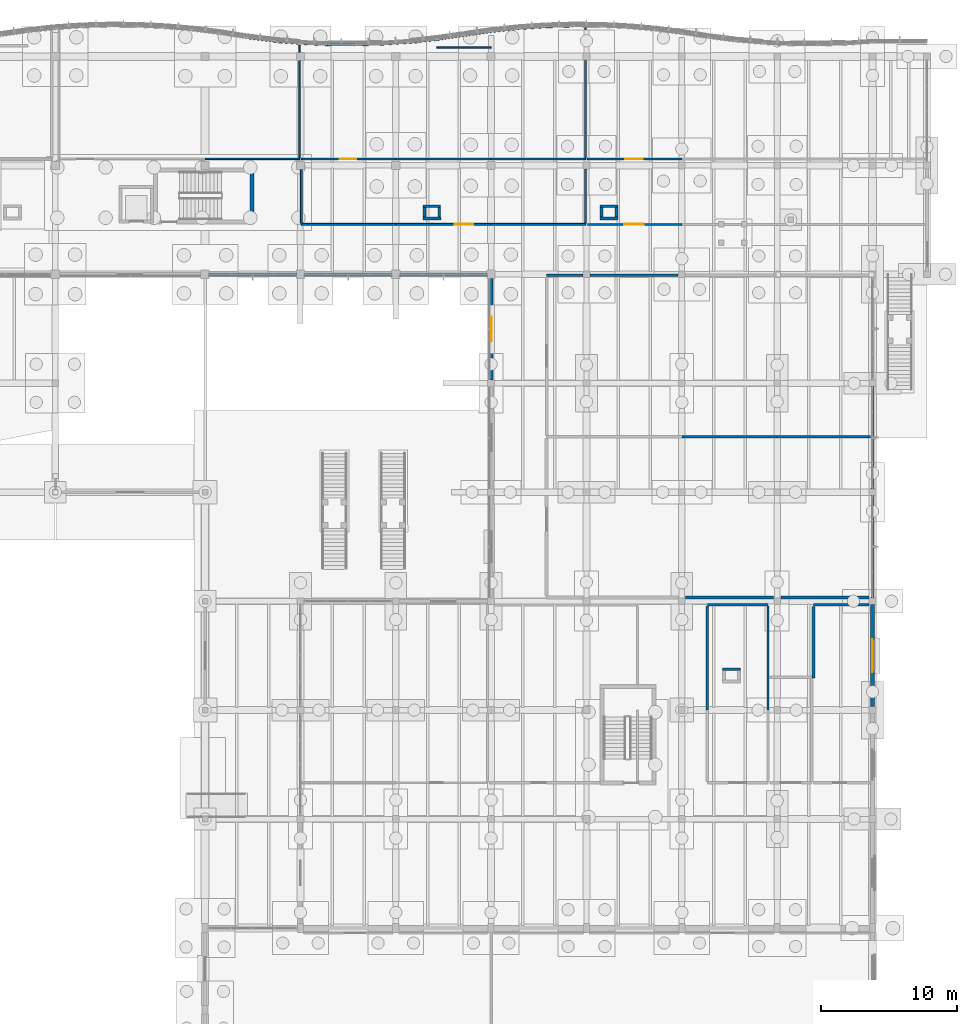
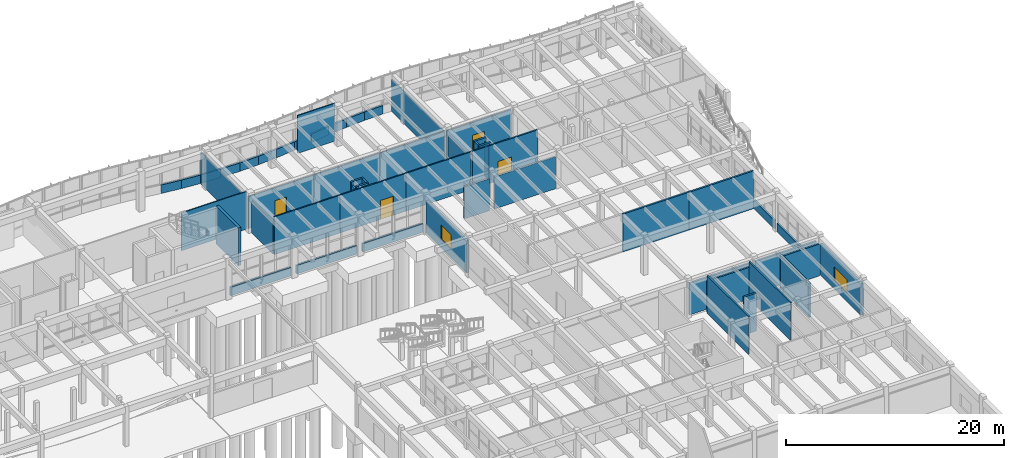
# One storey, part 70 of 99: 54 walls, 4 doors, 2 windows, 6 openings.
"""IFC4 building model written with IfcOpenShell, lengths in metres."""

from ifc_helpers import new_model, si_unit, direction, frame, frame_2d, origin, place, context, subcontext, project, spatial, rectangle, extrude, material, layer, layer_set, type_object, element, fill, save


model = new_model("IFC4")

# Units and contexts
model_context = context("Model", 3, precision=1e-05, world=origin(), true_north=direction((0.0, 1.0)))
body_context = subcontext(model_context, "Body", "Model", "MODEL_VIEW")
ifc_project = project(units=[si_unit("LENGTHUNIT", "METRE"), si_unit("AREAUNIT", "SQUARE_METRE"), si_unit("VOLUMEUNIT", "CUBIC_METRE"), si_unit("PLANEANGLEUNIT", "RADIAN"), si_unit("MASSUNIT", "GRAM", prefix="KILO")], contexts=[model_context])

# Site, building, storey
site_placement = place(None, origin())
site = spatial("IfcSite", under=ifc_project, at=site_placement, CompositionType="ELEMENT")
building_placement = place(site_placement, origin())
building = spatial("IfcBuilding", under=site, at=building_placement, Name="Tonlespit Floodbar School", CompositionType="ELEMENT")
storey_placement = place(building_placement, origin())
storey = spatial("IfcBuildingStorey", under=building, at=storey_placement, Name="L00", CompositionType="ELEMENT", Elevation=0.0)

# Wall
ifc_material_1 = material(Name="Concrete C40/50", Category="concrete")
ifc_layer_1 = layer(ifc_material_1, 0.300048828125)
ifc_layer_set_1 = layer_set([ifc_layer_1], Name="Concrete C40/50")
wall_type_1 = type_object("IfcWallType", Name="CoreWall_RC_300", PredefinedType="SHEAR", material=ifc_layer_set_1)
wall_1_placement = place(storey_placement, frame((130.449951171875, 111.800048828125, 0.0), z_axis=(0.0, 0.0, 1.0), x_axis=(0.0, -1.0, 0.0)))
element("IfcWall", 1, at=wall_1_placement, inside=storey, type_object=wall_type_1, Name="L00 core C4 shear wall FAR", PredefinedType="SHEAR", context=body_context, shape_type="SweptSolid", body=[
    extrude(rectangle(XDim=4.10009765625, YDim=0.300048828125, at=frame_2d((2.050048828125, 0.0))), origin(), (0.0, 0.0, 1.0), 4.239990234375),
])

# Wall, opening, window
ifc_material_2 = material(Name="Precast concrete C40/50", Category="concrete")
ifc_layer_2 = layer(ifc_material_2, 0.239990234375)
ifc_layer_set_2 = layer_set([ifc_layer_2], Name="Precast concrete C40/50")
wall_type_2 = type_object("IfcWallType", Name="ExtWall_Rainscreen_240", PredefinedType="SOLIDWALL", material=ifc_layer_set_2)
wall_2_placement = place(storey_placement, frame((148.0, 96.25, 0.0), z_axis=(0.0, 0.0, 1.0), x_axis=(0.0, 1.0, 0.0)))
wall_2 = element("IfcWall", 2, at=wall_2_placement, inside=storey, type_object=wall_type_2, Name="L00 external wall 0548", PredefinedType="SOLIDWALL", context=body_context, shape_type="SweptSolid", body=[
    extrude(rectangle(XDim=7.449951171875, YDim=0.239990234375, at=frame_2d((3.72509765625, 0.0))), origin(), (0.0, 0.0, 1.0), 3.590087890625),
])
opening_1_placement = place(wall_2_placement, frame((2.824951171875, 0.0, 0.949951171875)))
opening_1 = element("IfcOpeningElement", 3, at=opening_1_placement, cuts=wall_2, Name="Opening W-L00-076", PredefinedType="OPENING", context=body_context, shape_type="SweptSolid", body=[
    extrude(rectangle(XDim=1.800048828125, YDim=1.64990234375, at=frame_2d((0.89990234375, 0.824951171875))), frame((0.0, 0.1298828125, 0.0), z_axis=(0.0, -1.0, 0.0), x_axis=(1.0, 0.0, 0.0)), (0.0, 0.0, 1.0), 0.260009765625),
])
ifc_material_3 = material(Name="Tempered Double Glazing", Category="glass")
window_type_1 = type_object("IfcWindowType", Name="Win_Mod_1800x1650", PartitioningType="DOUBLE_PANEL_VERTICAL", PredefinedType="WINDOW", material=ifc_material_3)
window_1_placement = place(opening_1_placement, origin())
window_1 = element("IfcWindow", 4, at=window_1_placement, inside=storey, type_object=window_type_1, Name="L00 window W-L00-076", OverallHeight=1.64990234375, OverallWidth=1.800048828125, PartitioningType="DOUBLE_PANEL_VERTICAL", PredefinedType="WINDOW", context=body_context, shape_type="SweptSolid", body=[
    extrude(rectangle(XDim=1.800048828125, YDim=1.64990234375, at=frame_2d((0.89990234375, 0.824951171875))), frame((0.0, 0.030029296875, 0.0), z_axis=(0.0, -1.0, 0.0), x_axis=(1.0, 0.0, 0.0)), (0.0, 0.0, 1.0), 0.06005859375),
])
fill(opening_1, window_1)

ifc_layer_3 = layer(ifc_material_2, 0.27490234375)
ifc_layer_set_3 = layer_set([ifc_layer_3], Name="Precast concrete C40/50")
wall_type_3 = type_object("IfcWallType", Name="ExtWall_Rainscreen_275", PredefinedType="SOLIDWALL", material=ifc_layer_set_3)
wall_3_placement = place(storey_placement, frame((176.0, 79.75, 0.0), z_axis=(0.0, 0.0, 1.0), x_axis=(0.0, -1.0, 0.0)))
wall_3 = element("IfcWall", 5, at=wall_3_placement, inside=storey, type_object=wall_type_3, Name="L00 external wall 0499", PredefinedType="SOLIDWALL", context=body_context, shape_type="SweptSolid", body=[
    extrude(rectangle(XDim=7.5, YDim=0.27490234375, at=frame_2d((3.75, 0.0))), origin(), (0.0, 0.0, 1.0), 3.514892578125),
])
opening_2_placement = place(wall_3_placement, frame((2.550048828125, 0.0, 0.949951171875)))
opening_2 = element("IfcOpeningElement", 6, at=opening_2_placement, cuts=wall_3, Name="Opening W-L00-072", PredefinedType="OPENING", context=body_context, shape_type="SweptSolid", body=[
    extrude(rectangle(XDim=2.39990234375, YDim=1.5, at=frame_2d((1.199951171875, 0.75))), frame((0.0, 0.1474609375, 0.0), z_axis=(0.0, -1.0, 0.0), x_axis=(1.0, 0.0, 0.0)), (0.0, 0.0, 1.0), 0.294921875),
])
window_type_2 = type_object("IfcWindowType", Name="Win_Mod_2400x1500", PartitioningType="DOUBLE_PANEL_VERTICAL", PredefinedType="WINDOW", material=ifc_material_3)
window_2_placement = place(opening_2_placement, origin())
window_2 = element("IfcWindow", 7, at=window_2_placement, inside=storey, type_object=window_type_2, Name="L00 window W-L00-072", OverallHeight=1.5, OverallWidth=2.39990234375, PartitioningType="DOUBLE_PANEL_VERTICAL", PredefinedType="WINDOW", context=body_context, shape_type="SweptSolid", body=[
    extrude(rectangle(XDim=2.39990234375, YDim=1.5, at=frame_2d((1.199951171875, 0.75))), frame((0.0, 0.030029296875, 0.0), z_axis=(0.0, -1.0, 0.0), x_axis=(1.0, 0.0, 0.0)), (0.0, 0.0, 1.0), 0.06005859375),
])
fill(opening_2, window_2)

# Walls
ifc_material_4 = material(Name="White Architectural Precast concrete C40/50", Category="concrete")
ifc_layer_4 = layer(ifc_material_4, 0.18505859375)
ifc_layer_set_4 = layer_set([ifc_layer_4], Name="White Architectural Precast concrete C40/50")
wall_type_4 = type_object("IfcWallType", Name="ExtWall_Spandrel_White_185", PredefinedType="SOLIDWALL", material=ifc_layer_set_4)
for number, where, z_axis, x_axis, name in (
    (8, (176.0, 95.75, 0.0), (0.0, 0.0, 1.0), (0.0, -1.0, 0.0), "L00 spandrel wall 0549"),
    (9, (176.0, 87.75, 0.0), (0.0, 0.0, 1.0), (0.0, -1.0, 0.0), "L00 spandrel wall 0551"),
):
    element("IfcWall", number, at=place(storey_placement, frame(where, z_axis=z_axis, x_axis=x_axis)), inside=storey, type_object=wall_type_4, Name=name, PredefinedType="SOLIDWALL", context=body_context, shape_type="SweptSolid", body=[
        extrude(rectangle(XDim=7.5, YDim=0.18505859375, at=frame_2d((3.75, 0.0))), origin(), (0.0, 0.0, 1.0), 0.949951171875),
    ])
ifc_layer_5 = layer(ifc_material_4, 0.199951171875)
ifc_layer_set_5 = layer_set([ifc_layer_5], Name="White Architectural Precast concrete C40/50")
wall_type_5 = type_object("IfcWallType", Name="ExtWall_Spandrel_White_200", PredefinedType="SOLIDWALL", material=ifc_layer_set_5)
wall_4_placement = place(storey_placement, frame((130.0, 121.394287109375, 0.0), z_axis=(0.0, 0.0, 1.0), x_axis=(0.992158168336, -0.124988675503, 0.0)))
element("IfcWall", 10, at=wall_4_placement, inside=storey, type_object=wall_type_5, Name="L00 spandrel wall 0517", PredefinedType="SOLIDWALL", context=body_context, shape_type="SweptSolid", body=[
    extrude(rectangle(XDim=2.015869140625, YDim=0.199951171875, at=frame_2d((1.0078125, 0.0))), origin(), (0.0, 0.0, 1.0), 0.949951171875),
])
wall_5_placement = place(storey_placement, frame((132.0, 121.142333984375, 0.0), z_axis=(0.0, 0.0, 1.0), x_axis=(0.996244237948, -0.086587633962, 0.0)))
element("IfcWall", 11, at=wall_5_placement, inside=storey, type_object=wall_type_5, Name="L00 spandrel wall 0518", PredefinedType="SOLIDWALL", context=body_context, shape_type="SweptSolid", body=[
    extrude(rectangle(XDim=2.007568359375, YDim=0.199951171875, at=frame_2d((1.00390625, 0.0))), origin(), (0.0, 0.0, 1.0), 0.949951171875),
])
wall_6_placement = place(storey_placement, frame((134.0, 120.968505859375, 0.0), z_axis=(0.0, 0.0, 1.0), x_axis=(0.99884540439, -0.048040172037, 0.0)))
element("IfcWall", 12, at=wall_6_placement, inside=storey, type_object=wall_type_5, Name="L00 spandrel wall 0519", PredefinedType="SOLIDWALL", context=body_context, shape_type="SweptSolid", body=[
    extrude(rectangle(XDim=2.002197265625, YDim=0.199951171875, at=frame_2d((1.0009765625, 0.0))), origin(), (0.0, 0.0, 1.0), 0.949951171875),
])
wall_7_placement = place(storey_placement, frame((136.0, 120.872314453125, 0.0), z_axis=(0.0, 0.0, 1.0), x_axis=(0.999953504169, -0.009643106302, 0.0)))
element("IfcWall", 13, at=wall_7_placement, inside=storey, type_object=wall_type_5, Name="L00 spandrel wall 0520", PredefinedType="SOLIDWALL", context=body_context, shape_type="SweptSolid", body=[
    extrude(rectangle(XDim=2.0, YDim=0.199951171875, at=frame_2d((1.0, 0.0))), origin(), (0.0, 0.0, 1.0), 0.949951171875),
])
wall_8_placement = place(storey_placement, frame((138.0, 120.85302734375, 0.0), z_axis=(0.0, 0.0, 1.0), x_axis=(0.999585290582, 0.028796646555, 0.0)))
element("IfcWall", 14, at=wall_8_placement, inside=storey, type_object=wall_type_5, Name="L00 spandrel wall 0521", PredefinedType="SOLIDWALL", context=body_context, shape_type="SweptSolid", body=[
    extrude(rectangle(XDim=2.000732421875, YDim=0.199951171875, at=frame_2d((1.00048828125, 0.0))), origin(), (0.0, 0.0, 1.0), 0.949951171875),
])
wall_9_placement = place(storey_placement, frame((140.0, 120.91064453125, 0.0), z_axis=(0.0, 0.0, 1.0), x_axis=(0.997729302978, 0.067351599676, 0.0)))
element("IfcWall", 15, at=wall_9_placement, inside=storey, type_object=wall_type_5, Name="L00 spandrel wall 0522", PredefinedType="SOLIDWALL", context=body_context, shape_type="SweptSolid", body=[
    extrude(rectangle(XDim=2.004638671875, YDim=0.199951171875, at=frame_2d((1.00244140625, 0.0))), origin(), (0.0, 0.0, 1.0), 0.949951171875),
])
wall_10_placement = place(storey_placement, frame((142.0, 121.045654296875, 0.0), z_axis=(0.0, 0.0, 1.0), x_axis=(0.994395160059, 0.105727317433, 0.0)))
element("IfcWall", 16, at=wall_10_placement, inside=storey, type_object=wall_type_5, Name="L00 spandrel wall 0523", PredefinedType="SOLIDWALL", context=body_context, shape_type="SweptSolid", body=[
    extrude(rectangle(XDim=2.01123046875, YDim=0.199951171875, at=frame_2d((1.005615234375, 0.0))), origin(), (0.0, 0.0, 1.0), 0.949951171875),
])
for number, where, z_axis, x_axis, name in (
    (17, (144.0, 121.25830078125, 0.0), (0.0, 0.0, 1.0), (0.989527230727, 0.144346318447, 0.0), "L00 spandrel wall 0524"),
    (18, (146.0, 121.550048828125, 0.0), (0.0, 0.0, 1.0), (0.989544477223, 0.144228040259, 0.0), "L00 spandrel wall 0525"),
):
    element("IfcWall", number, at=place(storey_placement, frame(where, z_axis=z_axis, x_axis=x_axis)), inside=storey, type_object=wall_type_5, Name=name, PredefinedType="SOLIDWALL", context=body_context, shape_type="SweptSolid", body=[
        extrude(rectangle(XDim=2.021240234375, YDim=0.199951171875, at=frame_2d((1.0107421875, 0.0))), origin(), (0.0, 0.0, 1.0), 0.949951171875),
    ])
wall_11_placement = place(storey_placement, frame((148.0, 121.841552734375, 0.0), z_axis=(0.0, 0.0, 1.0), x_axis=(0.994395160059, 0.105727317433, 0.0)))
element("IfcWall", 19, at=wall_11_placement, inside=storey, type_object=wall_type_5, Name="L00 spandrel wall 0526", PredefinedType="SOLIDWALL", context=body_context, shape_type="SweptSolid", body=[
    extrude(rectangle(XDim=2.01123046875, YDim=0.199951171875, at=frame_2d((1.005615234375, 0.0))), origin(), (0.0, 0.0, 1.0), 0.949951171875),
])
wall_12_placement = place(storey_placement, frame((150.0, 122.05419921875, 0.0), z_axis=(0.0, 0.0, 1.0), x_axis=(0.997729302978, 0.067351599676, 0.0)))
element("IfcWall", 20, at=wall_12_placement, inside=storey, type_object=wall_type_5, Name="L00 spandrel wall 0527", PredefinedType="SOLIDWALL", context=body_context, shape_type="SweptSolid", body=[
    extrude(rectangle(XDim=2.004638671875, YDim=0.199951171875, at=frame_2d((1.00244140625, 0.0))), origin(), (0.0, 0.0, 1.0), 0.949951171875),
])
wall_13_placement = place(storey_placement, frame((152.0, 122.189208984375, 0.0), z_axis=(0.0, 0.0, 1.0), x_axis=(0.999581770858, 0.028918564416, 0.0)))
element("IfcWall", 21, at=wall_13_placement, inside=storey, type_object=wall_type_5, Name="L00 spandrel wall 0528", PredefinedType="SOLIDWALL", context=body_context, shape_type="SweptSolid", body=[
    extrude(rectangle(XDim=2.000732421875, YDim=0.199951171875, at=frame_2d((1.00048828125, 0.0))), origin(), (0.0, 0.0, 1.0), 0.949951171875),
])
for number, where, z_axis, x_axis, name in (
    (22, (147.699951171875, 104.0, 0.0), (0.0, 0.0, 1.0), (-1.0, 0.0, 0.0), "L00 spandrel wall 0543"),
    (23, (140.699951171875, 104.0, 0.0), (0.0, 0.0, 1.0), (-1.0, 0.0, 0.0), "L00 spandrel wall 0544"),
    (24, (133.699951171875, 104.0, 0.0), (0.0, 0.0, 1.0), (-1.0, 0.0, 0.0), "L00 spandrel wall 0545"),
):
    element("IfcWall", number, at=place(storey_placement, frame(where, z_axis=z_axis, x_axis=x_axis)), inside=storey, type_object=wall_type_5, Name=name, PredefinedType="SOLIDWALL", context=body_context, shape_type="SweptSolid", body=[
        extrude(rectangle(XDim=6.39990234375, YDim=0.199951171875, at=frame_2d((3.199951171875, 0.0))), origin(), (0.0, 0.0, 1.0), 0.949951171875),
    ])
ifc_layer_6 = layer(ifc_material_1, 0.199951171875)
ifc_layer_set_6 = layer_set([ifc_layer_6], Name="Concrete C40/50")
wall_type_6 = type_object("IfcWallType", Name="FireWall_Plant_200", PredefinedType="PARTITIONING", material=ifc_layer_set_6)
for number, where, z_axis, x_axis, name in (
    (25, (144.300048828125, 108.10009765625, 0.0), (0.0, 0.0, 1.0), (-1.0, 0.0, 0.0), "L00 service riser 05 wall S"),
    (26, (143.0, 109.0, 0.0), (0.0, 0.0, 1.0), (1.0, 0.0, 0.0), "L00 service riser 05 wall N"),
):
    element("IfcWall", number, at=place(storey_placement, frame(where, z_axis=z_axis, x_axis=x_axis)), inside=storey, type_object=wall_type_6, Name=name, PredefinedType="PARTITIONING", context=body_context, shape_type="SweptSolid", body=[
        extrude(rectangle(XDim=1.300048828125, YDim=0.199951171875, at=frame_2d((0.64990234375, 0.0))), origin(), (0.0, 0.0, 1.0), 4.239990234375),
    ])
wall_14_placement = place(storey_placement, frame((143.10009765625, 108.199951171875, 0.0), z_axis=(0.0, 0.0, 1.0), x_axis=(0.0, 1.0, 0.0)))
element("IfcWall", 27, at=wall_14_placement, inside=storey, type_object=wall_type_6, Name="L00 service riser 05 wall W", PredefinedType="PARTITIONING", context=body_context, shape_type="SweptSolid", body=[
    extrude(rectangle(XDim=0.699951171875, YDim=0.199951171875, at=frame_2d((0.35009765625, 0.0))), origin(), (0.0, 0.0, 1.0), 3.840087890625),
])
wall_15_placement = place(storey_placement, frame((144.199951171875, 108.89990234375, 0.0), z_axis=(0.0, 0.0, 1.0), x_axis=(0.0, -1.0, 0.0)))
element("IfcWall", 28, at=wall_15_placement, inside=storey, type_object=wall_type_6, Name="L00 service riser 05 wall E", PredefinedType="PARTITIONING", context=body_context, shape_type="SweptSolid", body=[
    extrude(rectangle(XDim=0.699951171875, YDim=0.199951171875, at=frame_2d((0.35009765625, 0.0))), origin(), (0.0, 0.0, 1.0), 4.239990234375),
])
for number, where, z_axis, x_axis, name in (
    (29, (157.300048828125, 108.10009765625, 0.0), (0.0, 0.0, 1.0), (-1.0, 0.0, 0.0), "L00 service riser 07 wall S"),
    (30, (156.0, 109.0, 0.0), (0.0, 0.0, 1.0), (1.0, 0.0, 0.0), "L00 service riser 07 wall N"),
):
    element("IfcWall", number, at=place(storey_placement, frame(where, z_axis=z_axis, x_axis=x_axis)), inside=storey, type_object=wall_type_6, Name=name, PredefinedType="PARTITIONING", context=body_context, shape_type="SweptSolid", body=[
        extrude(rectangle(XDim=1.300048828125, YDim=0.199951171875, at=frame_2d((0.64990234375, 0.0))), origin(), (0.0, 0.0, 1.0), 4.239990234375),
    ])
wall_16_placement = place(storey_placement, frame((156.10009765625, 108.199951171875, 0.0), z_axis=(0.0, 0.0, 1.0), x_axis=(0.0, 1.0, 0.0)))
element("IfcWall", 31, at=wall_16_placement, inside=storey, type_object=wall_type_6, Name="L00 service riser 07 wall W", PredefinedType="PARTITIONING", context=body_context, shape_type="SweptSolid", body=[
    extrude(rectangle(XDim=0.699951171875, YDim=0.199951171875, at=frame_2d((0.35009765625, 0.0))), origin(), (0.0, 0.0, 1.0), 4.239990234375),
])
wall_17_placement = place(storey_placement, frame((157.199951171875, 108.89990234375, 0.0), z_axis=(0.0, 0.0, 1.0), x_axis=(0.0, -1.0, 0.0)))
element("IfcWall", 32, at=wall_17_placement, inside=storey, type_object=wall_type_6, Name="L00 service riser 07 wall E", PredefinedType="PARTITIONING", context=body_context, shape_type="SweptSolid", body=[
    extrude(rectangle(XDim=0.699951171875, YDim=0.199951171875, at=frame_2d((0.35009765625, 0.0))), origin(), (0.0, 0.0, 1.0), 3.840087890625),
])
wall_18_placement = place(storey_placement, frame((165.0, 75.0, 0.0), z_axis=(0.0, 0.0, 1.0), x_axis=(1.0, 0.0, 0.0)))
element("IfcWall", 33, at=wall_18_placement, inside=storey, type_object=wall_type_6, Name="L00 service riser 08 wall N", PredefinedType="PARTITIONING", context=body_context, shape_type="SweptSolid", body=[
    extrude(rectangle(XDim=1.300048828125, YDim=0.199951171875, at=frame_2d((0.64990234375, 0.0))), origin(), (0.0, 0.0, 1.0), 4.239990234375),
])
ifc_material_5 = material(Name="Gypsum Plasterboard Partition")
ifc_layer_7 = layer(ifc_material_5, 0.110107421875)
ifc_layer_set_7 = layer_set([ifc_layer_7], Name="Gypsum Plasterboard Partition")
wall_type_7 = type_object("IfcWallType", Name="Partition_Gyp_110", PredefinedType="PARTITIONING", material=ifc_layer_set_7)
wall_19_placement = place(storey_placement, frame((127.0, 112.469970703125, 0.0), z_axis=(0.0, 0.0, 1.0), x_axis=(1.0, 0.0, 0.0)))
element("IfcWall", 34, at=wall_19_placement, inside=storey, type_object=wall_type_7, Name="L00 partition wall 0321", PredefinedType="PARTITIONING", context=body_context, shape_type="SweptSolid", body=[
    extrude(rectangle(XDim=6.929931640625, YDim=0.110107421875, at=frame_2d((3.46484375, 0.0))), origin(), (0.0, 0.0, 1.0), 4.239990234375),
])
wall_20_placement = place(storey_placement, frame((133.929931640625, 112.5400390625, 0.0), z_axis=(0.0, 0.0, 1.0), x_axis=(0.0, 1.0, 0.0)))
element("IfcWall", 35, at=wall_20_placement, inside=storey, type_object=wall_type_7, Name="L00 partition wall 0323", PredefinedType="PARTITIONING", context=body_context, shape_type="SweptSolid", body=[
    extrude(rectangle(XDim=8.289794921875, YDim=0.110107421875, at=frame_2d((4.14501953125, 0.0))), origin(), (0.0, 0.0, 1.0), 3.590087890625),
])

# Wall, opening, door
ifc_layer_8 = layer(ifc_material_5, 0.1201171875)
ifc_layer_set_8 = layer_set([ifc_layer_8], Name="Gypsum Plasterboard Partition")
wall_type_8 = type_object("IfcWallType", Name="Partition_Gyp_120", PredefinedType="PARTITIONING", material=ifc_layer_set_8)
wall_21_placement = place(storey_placement, frame((134.070068359375, 112.469970703125, 0.0), z_axis=(0.0, 0.0, 1.0), x_axis=(1.0, 0.0, 0.0)))
wall_21 = element("IfcWall", 36, at=wall_21_placement, inside=storey, type_object=wall_type_8, Name="L00 partition wall 0324", PredefinedType="PARTITIONING", context=body_context, shape_type="SweptSolid", body=[
    extrude(rectangle(XDim=6.929931640625, YDim=0.1201171875, at=frame_2d((3.46484375, 0.0))), origin(), (0.0, 0.0, 1.0), 3.590087890625),
])
opening_3_placement = place(wall_21_placement, frame((2.820068359375, 0.0, 0.0)))
opening_3 = element("IfcOpeningElement", 37, at=opening_3_placement, cuts=wall_21, Name="Opening D-L00-093", PredefinedType="OPENING", context=body_context, shape_type="SweptSolid", body=[
    extrude(rectangle(XDim=1.219970703125, YDim=2.14990234375, at=frame_2d((0.60986328125, 1.074951171875))), frame((0.0, 0.070068359375, 0.0), z_axis=(0.0, -1.0, 0.0), x_axis=(1.0, 0.0, 0.0)), (0.0, 0.0, 1.0), 0.14013671875),
])
ifc_material_6 = material(Name="Hardwood Timber", Category="wood")
door_type_1 = type_object("IfcDoorType", Name="IntDoor_1220x2150", OperationType="NOTDEFINED", PredefinedType="DOOR", material=ifc_material_6)
door_1_placement = place(opening_3_placement, origin())
door_1 = element("IfcDoor", 38, at=door_1_placement, inside=storey, type_object=door_type_1, Name="L00 interior door D-L00-093", OperationType="SINGLE_SWING_RIGHT", OverallHeight=2.14990234375, OverallWidth=1.219970703125, PredefinedType="DOOR", context=body_context, shape_type="SweptSolid", body=[
    extrude(rectangle(XDim=1.219970703125, YDim=2.14990234375, at=frame_2d((0.60986328125, 1.074951171875))), frame((0.0, 0.02490234375, 0.0), z_axis=(0.0, -1.0, 0.0), x_axis=(1.0, 0.0, 0.0)), (0.0, 0.0, 1.0), 0.050048828125),
])
fill(opening_3, door_1)

# Walls
wall_22_placement = place(storey_placement, frame((141.0, 112.469970703125, 0.0), z_axis=(0.0, 0.0, 1.0), x_axis=(1.0, 0.0, 0.0)))
element("IfcWall", 39, at=wall_22_placement, inside=storey, type_object=wall_type_8, Name="L00 partition wall 0325", PredefinedType="PARTITIONING", context=body_context, shape_type="SweptSolid", body=[
    extrude(rectangle(XDim=7.0, YDim=0.1201171875, at=frame_2d((3.5, 0.0))), origin(), (0.0, 0.0, 1.0), 3.590087890625),
])
wall_23_placement = place(storey_placement, frame((148.0, 112.469970703125, 0.0), z_axis=(0.0, 0.0, 1.0), x_axis=(1.0, 0.0, 0.0)))
element("IfcWall", 40, at=wall_23_placement, inside=storey, type_object=wall_type_8, Name="L00 partition wall 0326", PredefinedType="PARTITIONING", context=body_context, shape_type="SweptSolid", body=[
    extrude(rectangle(XDim=6.929931640625, YDim=0.1201171875, at=frame_2d((3.46484375, 0.0))), origin(), (0.0, 0.0, 1.0), 3.590087890625),
])
wall_24_placement = place(storey_placement, frame((144.02001953125, 120.64794921875, 0.0), z_axis=(0.0, 0.0, 1.0), x_axis=(1.0, 0.0, 0.0)))
element("IfcWall", 41, at=wall_24_placement, inside=storey, type_object=wall_type_8, Name="L00 partition wall 0327", PredefinedType="PARTITIONING", context=body_context, shape_type="SweptSolid", body=[
    extrude(rectangle(XDim=3.97998046875, YDim=0.1201171875, at=frame_2d((1.989990234375, 0.0))), origin(), (0.0, 0.0, 1.0), 4.239990234375),
])
wall_25_placement = place(storey_placement, frame((154.929931640625, 112.544921875, 0.0), z_axis=(0.0, 0.0, 1.0), x_axis=(0.0, 1.0, 0.0)))
element("IfcWall", 42, at=wall_25_placement, inside=storey, type_object=wall_type_8, Name="L00 partition wall 0328", PredefinedType="PARTITIONING", context=body_context, shape_type="SweptSolid", body=[
    extrude(rectangle(XDim=9.55126953125, YDim=0.1201171875, at=frame_2d((4.775634765625, 0.0))), origin(), (0.0, 0.0, 1.0), 3.590087890625),
])

# Wall, opening, door
ifc_layer_9 = layer(ifc_material_5, 0.1298828125)
ifc_layer_set_9 = layer_set([ifc_layer_9], Name="Gypsum Plasterboard Partition")
wall_type_9 = type_object("IfcWallType", Name="Partition_Gyp_130", PredefinedType="PARTITIONING", material=ifc_layer_set_9)
wall_26_placement = place(storey_placement, frame((155.070068359375, 112.469970703125, 0.0), z_axis=(0.0, 0.0, 1.0), x_axis=(1.0, 0.0, 0.0)))
wall_26 = element("IfcWall", 43, at=wall_26_placement, inside=storey, type_object=wall_type_9, Name="L00 partition wall 0329", PredefinedType="PARTITIONING", context=body_context, shape_type="SweptSolid", body=[
    extrude(rectangle(XDim=6.929931640625, YDim=0.1298828125, at=frame_2d((3.46484375, 0.0))), origin(), (0.0, 0.0, 1.0), 3.590087890625),
])
opening_4_placement = place(wall_26_placement, frame((2.7900390625, 0.0, 0.0)))
opening_4 = element("IfcOpeningElement", 44, at=opening_4_placement, cuts=wall_26, Name="Opening D-L00-094", PredefinedType="OPENING", context=body_context, shape_type="SweptSolid", body=[
    extrude(rectangle(XDim=1.280029296875, YDim=2.14990234375, at=frame_2d((0.64013671875, 1.074951171875))), frame((0.0, 0.074951171875, 0.0), z_axis=(0.0, -1.0, 0.0), x_axis=(1.0, 0.0, 0.0)), (0.0, 0.0, 1.0), 0.14990234375),
])
door_type_2 = type_object("IfcDoorType", Name="IntDoor_1280x2150", OperationType="NOTDEFINED", PredefinedType="DOOR", material=ifc_material_6)
door_2_placement = place(opening_4_placement, origin())
door_2 = element("IfcDoor", 45, at=door_2_placement, inside=storey, type_object=door_type_2, Name="L00 interior door D-L00-094", OperationType="SINGLE_SWING_LEFT", OverallHeight=2.14990234375, OverallWidth=1.280029296875, PredefinedType="DOOR", context=body_context, shape_type="SweptSolid", body=[
    extrude(rectangle(XDim=1.280029296875, YDim=2.14990234375, at=frame_2d((0.64013671875, 1.074951171875))), frame((0.0, 0.02490234375, 0.0), z_axis=(0.0, -1.0, 0.0), x_axis=(1.0, 0.0, 0.0)), (0.0, 0.0, 1.0), 0.050048828125),
])
fill(opening_4, door_2)

# Wall
ifc_layer_10 = layer(ifc_material_5, 0.139892578125)
ifc_layer_set_10 = layer_set([ifc_layer_10], Name="Gypsum Plasterboard Partition")
wall_type_10 = type_object("IfcWallType", Name="Partition_Gyp_140", PredefinedType="PARTITIONING", material=ifc_layer_set_10)
wall_27_placement = place(storey_placement, frame((134.070068359375, 107.669921875, 0.0), z_axis=(0.0, 0.0, 1.0), x_axis=(1.0, 0.0, 0.0)))
element("IfcWall", 46, at=wall_27_placement, inside=storey, type_object=wall_type_10, Name="L00 partition wall 0333", PredefinedType="PARTITIONING", context=body_context, shape_type="SweptSolid", body=[
    extrude(rectangle(XDim=6.929931640625, YDim=0.139892578125, at=frame_2d((3.46484375, 0.0))), origin(), (0.0, 0.0, 1.0), 4.239990234375),
])

# Wall, opening, door
wall_28_placement = place(storey_placement, frame((141.0, 107.669921875, 0.0), z_axis=(0.0, 0.0, 1.0), x_axis=(1.0, 0.0, 0.0)))
wall_28 = element("IfcWall", 47, at=wall_28_placement, inside=storey, type_object=wall_type_10, Name="L00 partition wall 0334", PredefinedType="PARTITIONING", context=body_context, shape_type="SweptSolid", body=[
    extrude(rectangle(XDim=7.0, YDim=0.139892578125, at=frame_2d((3.5, 0.0))), origin(), (0.0, 0.0, 1.0), 4.239990234375),
])
opening_5_placement = place(wall_28_placement, frame((4.320068359375, 0.0, 0.0)))
opening_5 = element("IfcOpeningElement", 48, at=opening_5_placement, cuts=wall_28, Name="Opening D-L00-095", PredefinedType="OPENING", context=body_context, shape_type="SweptSolid", body=[
    extrude(rectangle(XDim=1.360107421875, YDim=2.14990234375, at=frame_2d((0.68017578125, 1.074951171875))), frame((0.0, 0.079833984375, 0.0), z_axis=(0.0, -1.0, 0.0), x_axis=(1.0, 0.0, 0.0)), (0.0, 0.0, 1.0), 0.159912109375),
])
door_type_3 = type_object("IfcDoorType", Name="IntDoor_1360x2150", OperationType="NOTDEFINED", PredefinedType="DOOR", material=ifc_material_6)
door_3_placement = place(opening_5_placement, origin())
door_3 = element("IfcDoor", 49, at=door_3_placement, inside=storey, type_object=door_type_3, Name="L00 interior door D-L00-095", OperationType="SINGLE_SWING_RIGHT", OverallHeight=2.14990234375, OverallWidth=1.360107421875, PredefinedType="DOOR", context=body_context, shape_type="SweptSolid", body=[
    extrude(rectangle(XDim=1.360107421875, YDim=2.14990234375, at=frame_2d((0.68017578125, 1.074951171875))), frame((0.0, 0.02490234375, 0.0), z_axis=(0.0, -1.0, 0.0), x_axis=(1.0, 0.0, 0.0)), (0.0, 0.0, 1.0), 0.050048828125),
])
fill(opening_5, door_3)

# Walls
wall_29_placement = place(storey_placement, frame((148.0, 107.669921875, 0.0), z_axis=(0.0, 0.0, 1.0), x_axis=(1.0, 0.0, 0.0)))
element("IfcWall", 50, at=wall_29_placement, inside=storey, type_object=wall_type_10, Name="L00 partition wall 0335", PredefinedType="PARTITIONING", context=body_context, shape_type="SweptSolid", body=[
    extrude(rectangle(XDim=6.929931640625, YDim=0.139892578125, at=frame_2d((3.46484375, 0.0))), origin(), (0.0, 0.0, 1.0), 4.239990234375),
])
wall_30_placement = place(storey_placement, frame((134.070068359375, 107.7548828125, 0.0), z_axis=(0.0, 0.0, 1.0), x_axis=(0.0, 1.0, 0.0)))
element("IfcWall", 51, at=wall_30_placement, inside=storey, type_object=wall_type_10, Name="L00 partition wall 0336", PredefinedType="PARTITIONING", context=body_context, shape_type="SweptSolid", body=[
    extrude(rectangle(XDim=3.93017578125, YDim=0.139892578125, at=frame_2d((1.965087890625, 0.0))), origin(), (0.0, 0.0, 1.0), 3.590087890625),
])
wall_31_placement = place(storey_placement, frame((154.929931640625, 107.7548828125, 0.0), z_axis=(0.0, 0.0, 1.0), x_axis=(0.0, 1.0, 0.0)))
element("IfcWall", 52, at=wall_31_placement, inside=storey, type_object=wall_type_10, Name="L00 partition wall 0337", PredefinedType="PARTITIONING", context=body_context, shape_type="SweptSolid", body=[
    extrude(rectangle(XDim=3.980224609375, YDim=0.139892578125, at=frame_2d((1.990234375, 0.0))), origin(), (0.0, 0.0, 1.0), 3.590087890625),
])

# Wall, opening, door
ifc_layer_11 = layer(ifc_material_5, 0.14990234375)
ifc_layer_set_11 = layer_set([ifc_layer_11], Name="Gypsum Plasterboard Partition")
wall_type_11 = type_object("IfcWallType", Name="Partition_Gyp_150", PredefinedType="PARTITIONING", material=ifc_layer_set_11)
wall_32_placement = place(storey_placement, frame((155.070068359375, 107.669921875, 0.0), z_axis=(0.0, 0.0, 1.0), x_axis=(1.0, 0.0, 0.0)))
wall_32 = element("IfcWall", 53, at=wall_32_placement, inside=storey, type_object=wall_type_11, Name="L00 partition wall 0338", PredefinedType="PARTITIONING", context=body_context, shape_type="SweptSolid", body=[
    extrude(rectangle(XDim=6.929931640625, YDim=0.14990234375, at=frame_2d((3.46484375, 0.0))), origin(), (0.0, 0.0, 1.0), 4.239990234375),
])
opening_6_placement = place(wall_32_placement, frame((2.7099609375, 0.0, 0.0)))
opening_6 = element("IfcOpeningElement", 54, at=opening_6_placement, cuts=wall_32, Name="Opening D-L00-096", PredefinedType="OPENING", context=body_context, shape_type="SweptSolid", body=[
    extrude(rectangle(XDim=1.43994140625, YDim=2.14990234375, at=frame_2d((0.719970703125, 1.074951171875))), frame((0.0, 0.0849609375, 0.0), z_axis=(0.0, -1.0, 0.0), x_axis=(1.0, 0.0, 0.0)), (0.0, 0.0, 1.0), 0.169921875),
])
door_type_4 = type_object("IfcDoorType", Name="IntDoor_1440x2150", OperationType="NOTDEFINED", PredefinedType="DOOR", material=ifc_material_6)
door_4_placement = place(opening_6_placement, origin())
door_4 = element("IfcDoor", 55, at=door_4_placement, inside=storey, type_object=door_type_4, Name="L00 interior door D-L00-096", OperationType="SINGLE_SWING_LEFT", OverallHeight=2.14990234375, OverallWidth=1.43994140625, PredefinedType="DOOR", context=body_context, shape_type="SweptSolid", body=[
    extrude(rectangle(XDim=1.43994140625, YDim=2.14990234375, at=frame_2d((0.719970703125, 1.074951171875))), frame((0.0, 0.02490234375, 0.0), z_axis=(0.0, -1.0, 0.0), x_axis=(1.0, 0.0, 0.0)), (0.0, 0.0, 1.0), 0.050048828125),
])
fill(opening_6, door_4)

# Walls
ifc_layer_12 = layer(ifc_material_5, 0.169921875)
ifc_layer_set_12 = layer_set([ifc_layer_12], Name="Gypsum Plasterboard Partition")
wall_type_12 = type_object("IfcWallType", Name="Partition_Gyp_170", PredefinedType="PARTITIONING", material=ifc_layer_set_12)
wall_33_placement = place(storey_placement, frame((163.8701171875, 79.72998046875, 0.0), z_axis=(0.0, 0.0, 1.0), x_axis=(1.0, 0.0, 0.0)))
element("IfcWall", 56, at=wall_33_placement, inside=storey, type_object=wall_type_12, Name="L00 partition wall 0289", PredefinedType="PARTITIONING", context=body_context, shape_type="SweptSolid", body=[
    extrude(rectangle(XDim=4.4599609375, YDim=0.169921875, at=frame_2d((2.22998046875, 0.0))), origin(), (0.0, 0.0, 1.0), 3.56494140625),
])
for number, where, z_axis, x_axis, name in (
    (57, (163.8701171875, 72.0, 0.0), (0.0, 0.0, 1.0), (0.0, 1.0, 0.0), "L00 partition wall 0291"),
    (58, (168.330078125, 72.0, 0.0), (0.0, 0.0, 1.0), (0.0, 1.0, 0.0), "L00 partition wall 0293"),
):
    element("IfcWall", number, at=place(storey_placement, frame(where, z_axis=z_axis, x_axis=x_axis)), inside=storey, type_object=wall_type_12, Name=name, PredefinedType="PARTITIONING", context=body_context, shape_type="SweptSolid", body=[
        extrude(rectangle(XDim=7.6298828125, YDim=0.169921875, at=frame_2d((3.81494140625, 0.0))), origin(), (0.0, 0.0, 1.0), 4.239990234375),
    ])
ifc_layer_13 = layer(ifc_material_5, 0.18505859375)
ifc_layer_set_13 = layer_set([ifc_layer_13], Name="Gypsum Plasterboard Partition")
wall_type_13 = type_object("IfcWallType", Name="Partition_Gyp_185", PredefinedType="PARTITIONING", material=ifc_layer_set_13)
wall_34_placement = place(storey_placement, frame((162.0, 92.070068359375, 0.0), z_axis=(0.0, 0.0, 1.0), x_axis=(1.0, 0.0, 0.0)))
element("IfcWall", 59, at=wall_34_placement, inside=storey, type_object=wall_type_13, Name="L00 partition wall 0344", PredefinedType="PARTITIONING", context=body_context, shape_type="SweptSolid", body=[
    extrude(rectangle(XDim=7.0, YDim=0.18505859375, at=frame_2d((3.5, 0.0))), origin(), (0.0, 0.0, 1.0), 4.239990234375),
])
wall_35_placement = place(storey_placement, frame((169.0, 92.070068359375, 0.0), z_axis=(0.0, 0.0, 1.0), x_axis=(1.0, 0.0, 0.0)))
element("IfcWall", 60, at=wall_35_placement, inside=storey, type_object=wall_type_13, Name="L00 partition wall 0345", PredefinedType="PARTITIONING", context=body_context, shape_type="SweptSolid", body=[
    extrude(rectangle(XDim=6.865478515625, YDim=0.18505859375, at=frame_2d((3.4326171875, 0.0))), origin(), (0.0, 0.0, 1.0), 4.239990234375),
])
wall_36_placement = place(storey_placement, frame((152.070068359375, 103.929931640625, 0.0), z_axis=(0.0, 0.0, 1.0), x_axis=(1.0, 0.0, 0.0)))
element("IfcWall", 61, at=wall_36_placement, inside=storey, type_object=wall_type_13, Name="L00 partition wall 0346", PredefinedType="PARTITIONING", context=body_context, shape_type="SweptSolid", body=[
    extrude(rectangle(XDim=2.6650390625, YDim=0.18505859375, at=frame_2d((1.33251953125, 0.0))), origin(), (0.0, 0.0, 1.0), 3.590087890625),
])
wall_37_placement = place(storey_placement, frame((155.264892578125, 103.929931640625, 0.0), z_axis=(0.0, 0.0, 1.0), x_axis=(1.0, 0.0, 0.0)))
element("IfcWall", 62, at=wall_37_placement, inside=storey, type_object=wall_type_13, Name="L00 partition wall 0347", PredefinedType="PARTITIONING", context=body_context, shape_type="SweptSolid", body=[
    extrude(rectangle(XDim=6.47021484375, YDim=0.18505859375, at=frame_2d((3.235107421875, 0.0))), origin(), (0.0, 0.0, 1.0), 3.590087890625),
])
ifc_layer_14 = layer(ifc_material_5, 0.195068359375)
ifc_layer_set_14 = layer_set([ifc_layer_14], Name="Gypsum Plasterboard Partition")
wall_type_14 = type_object("IfcWallType", Name="Partition_Gyp_195", PredefinedType="PARTITIONING", material=ifc_layer_set_14)
wall_38_placement = place(storey_placement, frame((171.669921875, 79.72998046875, 0.0), z_axis=(0.0, 0.0, 1.0), x_axis=(1.0, 0.0, 0.0)))
element("IfcWall", 63, at=wall_38_placement, inside=storey, type_object=wall_type_14, Name="L00 partition wall 0298", PredefinedType="PARTITIONING", context=body_context, shape_type="SweptSolid", body=[
    extrude(rectangle(XDim=4.065185546875, YDim=0.195068359375, at=frame_2d((2.03271484375, 0.0))), origin(), (0.0, 0.0, 1.0), 3.56494140625),
])
wall_39_placement = place(storey_placement, frame((171.669921875, 74.342529296875, 0.0), z_axis=(0.0, 0.0, 1.0), x_axis=(0.0, 1.0, 0.0)))
element("IfcWall", 64, at=wall_39_placement, inside=storey, type_object=wall_type_14, Name="L00 partition wall 0299", PredefinedType="PARTITIONING", context=body_context, shape_type="SweptSolid", body=[
    extrude(rectangle(XDim=5.27490234375, YDim=0.195068359375, at=frame_2d((2.637451171875, 0.0))), origin(), (0.0, 0.0, 1.0), 3.81494140625),
])
for number, where, z_axis, x_axis, name in (
    (65, (162.264892578125, 80.27001953125, 0.0), (0.0, 0.0, 1.0), (1.0, 0.0, 0.0), "L00 partition wall 0353"),
    (66, (169.264892578125, 80.27001953125, 0.0), (0.0, 0.0, 1.0), (1.0, 0.0, 0.0), "L00 partition wall 0354"),
):
    element("IfcWall", number, at=place(storey_placement, frame(where, z_axis=z_axis, x_axis=x_axis)), inside=storey, type_object=wall_type_14, Name=name, PredefinedType="PARTITIONING", context=body_context, shape_type="SweptSolid", body=[
        extrude(rectangle(XDim=6.47021484375, YDim=0.195068359375, at=frame_2d((3.235107421875, 0.0))), origin(), (0.0, 0.0, 1.0), 3.56494140625),
    ])

save(model, "model.ifc")
